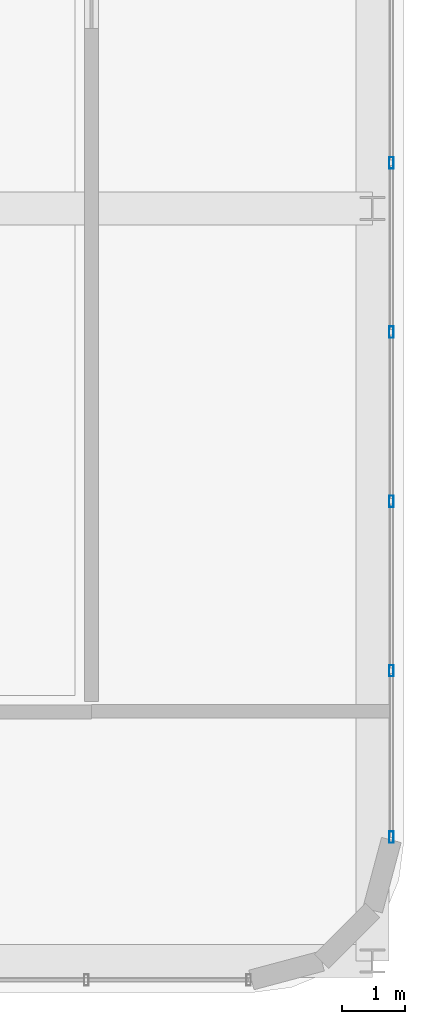
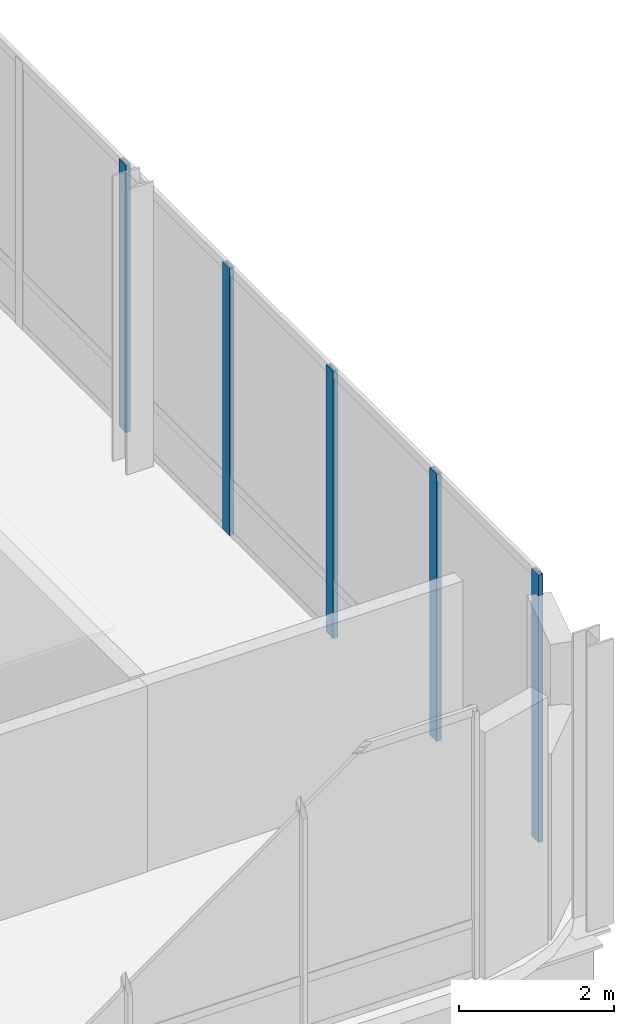
# One storey, part 13 of 25: 5 members, 1 element without a shape of its own.
"""IFC4 building model written with IfcOpenShell, lengths in metres."""

from ifc_helpers import new_model, si_unit, direction, frame, origin, origin_2d, place, context, subcontext, project, spatial, hollow_rectangle, extrude, material, material_profile, profile_set, type_object, element, aggregate, save


model = new_model("IFC4")

# Units and contexts
model_context = context("Model", 3, precision=1e-05, world=origin(), true_north=direction((0.0, 1.0)))
body_context = subcontext(model_context, "Body", "Model", "MODEL_VIEW")
ifc_project = project(units=[si_unit("LENGTHUNIT", "METRE"), si_unit("AREAUNIT", "SQUARE_METRE"), si_unit("VOLUMEUNIT", "CUBIC_METRE"), si_unit("PLANEANGLEUNIT", "RADIAN"), si_unit("MASSUNIT", "GRAM", prefix="KILO")], contexts=[model_context])

# Site, building, storey
site_placement = place(None, origin())
site = spatial("IfcSite", under=ifc_project, at=site_placement, CompositionType="ELEMENT")
building_placement = place(site_placement, origin())
building = spatial("IfcBuilding", under=site, at=building_placement, Name="Punatoya Terracotta Tower", CompositionType="ELEMENT")
storey_placement = place(building_placement, frame((0.0, 0.0, 357.300048828125)))
storey = spatial("IfcBuildingStorey", under=building, at=storey_placement, Name="L84", CompositionType="ELEMENT", Elevation=357.300048828125)

# Curtain wall, members
ifc_material_1 = material(Name="Aluminium 6063-T6 + Double Low-E Glass", Category="aluminium")
curtain_wall_type = type_object("IfcCurtainWallType", Name="CW-CRN", PredefinedType="NOTDEFINED", material=ifc_material_1)
curtain_wall_placement = place(storey_placement, origin())
curtain_wall = element("IfcCurtainWall", 1, at=curtain_wall_placement, inside=storey, type_object=curtain_wall_type, Name="L84 Curtain Wall CW-L84-E05-1", PredefinedType="NOTDEFINED")
ifc_material_2 = material(Name="Aluminium 6063-T6", Category="aluminium")
ifc_material_profile = material_profile(ifc_material_2, hollow_rectangle(XDim=0.070068359375, YDim=0.179931640625, WallThickness=0.00390625, at=origin_2d()))
ifc_profile_set = profile_set([ifc_material_profile], Name="Aluminium 6063-T6")
member_type = type_object("IfcMemberType", Name="CW-MUL-M3", PredefinedType="MULLION", material=ifc_profile_set)
member_1_placement = place(storey_placement, frame((17.10009765625, -13.341796875, 0.0), z_axis=(0.0, 0.0, 1.0), x_axis=(1.0, 0.0, 0.0)))
member_1 = element("IfcMember", 2, at=member_1_placement, type_object=member_type, Name="CW-L84-E05-1 Mullion 00", PredefinedType="MULLION", context=body_context, shape_type="SweptSolid", body=[
    extrude(hollow_rectangle(XDim=0.070068359375, YDim=0.179931640625, WallThickness=0.00390625, at=origin_2d()), origin(), (0.0, 0.0, 1.0), 4.219970703125),
])
member_2_placement = place(storey_placement, frame((17.10009765625, -10.70947265625, 0.0), z_axis=(0.0, 0.0, 1.0), x_axis=(1.0, 0.0, 0.0)))
member_2 = element("IfcMember", 3, at=member_2_placement, type_object=member_type, Name="CW-L84-E05-1 Mullion 01", PredefinedType="MULLION", context=body_context, shape_type="SweptSolid", body=[
    extrude(hollow_rectangle(XDim=0.070068359375, YDim=0.179931640625, WallThickness=0.00390625, at=origin_2d()), origin(), (0.0, 0.0, 1.0), 4.219970703125),
])
member_3_placement = place(storey_placement, frame((17.10009765625, -8.031982421875, 0.0), z_axis=(0.0, 0.0, 1.0), x_axis=(1.0, 0.0, 0.0)))
member_3 = element("IfcMember", 4, at=member_3_placement, type_object=member_type, Name="CW-L84-E05-1 Mullion 02", PredefinedType="MULLION", context=body_context, shape_type="SweptSolid", body=[
    extrude(hollow_rectangle(XDim=0.070068359375, YDim=0.179931640625, WallThickness=0.00390625, at=origin_2d()), origin(), (0.0, 0.0, 1.0), 4.219970703125),
])
member_4_placement = place(storey_placement, frame((17.10009765625, -5.354736328125, 0.0), z_axis=(0.0, 0.0, 1.0), x_axis=(1.0, 0.0, 0.0)))
member_4 = element("IfcMember", 5, at=member_4_placement, type_object=member_type, Name="CW-L84-E05-1 Mullion 03", PredefinedType="MULLION", context=body_context, shape_type="SweptSolid", body=[
    extrude(hollow_rectangle(XDim=0.070068359375, YDim=0.179931640625, WallThickness=0.00390625, at=origin_2d()), origin(), (0.0, 0.0, 1.0), 4.219970703125),
])
member_5_placement = place(storey_placement, frame((17.10009765625, -2.677490234375, 0.0), z_axis=(0.0, 0.0, 1.0), x_axis=(1.0, 0.0, 0.0)))
member_5 = element("IfcMember", 6, at=member_5_placement, type_object=member_type, Name="CW-L84-E05-1 Mullion 04", PredefinedType="MULLION", context=body_context, shape_type="SweptSolid", body=[
    extrude(hollow_rectangle(XDim=0.070068359375, YDim=0.179931640625, WallThickness=0.00390625, at=origin_2d()), origin(), (0.0, 0.0, 1.0), 4.219970703125),
])
aggregate(curtain_wall, [member_1, member_2, member_3, member_4, member_5])

save(model, "model.ifc")
